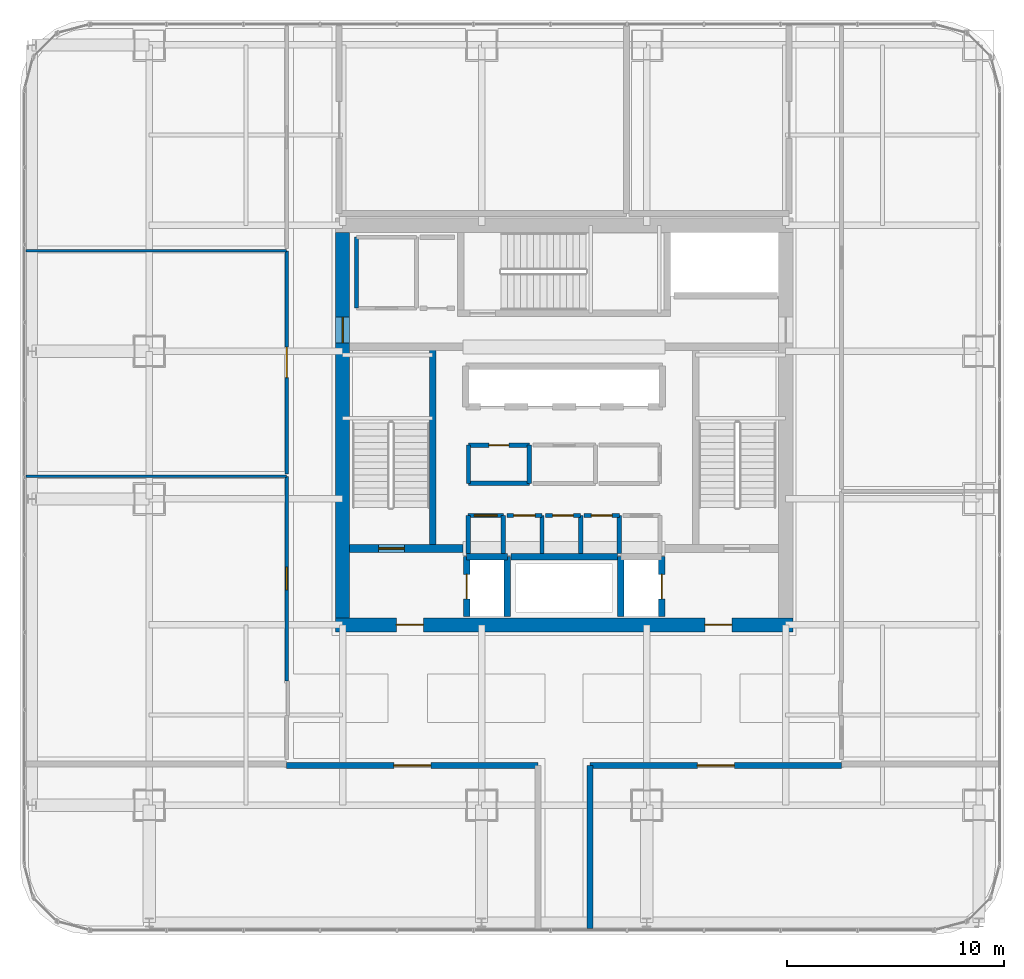
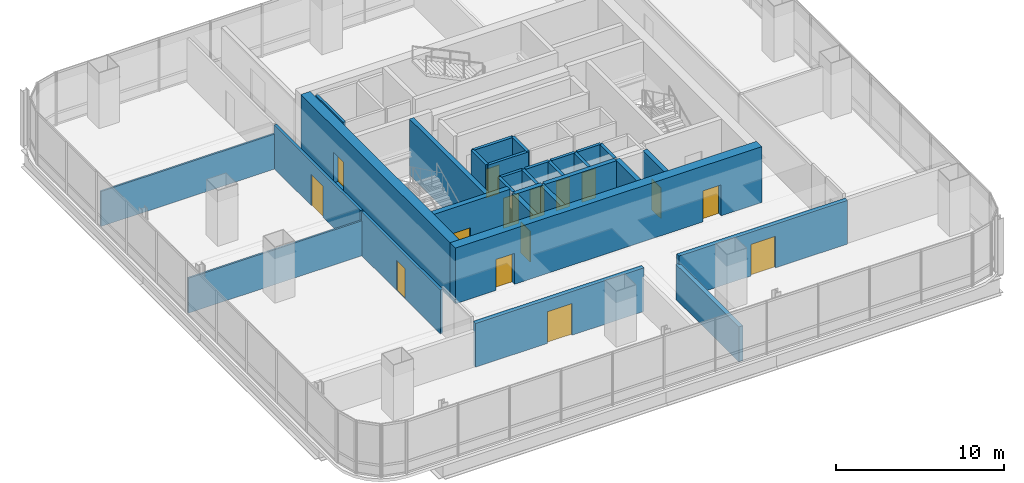
# One storey, part 29 of 36: 31 walls, 15 doors, 15 openings.
"""IFC4 building model written with IfcOpenShell, lengths in metres."""

from ifc_helpers import new_model, si_unit, direction, frame, frame_2d, origin, place, context, subcontext, project, spatial, rectangle, extrude, material, layer, layer_set, type_object, element, fill, save


model = new_model("IFC4")

# Units and contexts
model_context = context("Model", 3, precision=1e-05, world=origin(), true_north=direction((0.0, 1.0)))
body_context = subcontext(model_context, "Body", "Model", "MODEL_VIEW")
ifc_project = project(units=[si_unit("LENGTHUNIT", "METRE"), si_unit("AREAUNIT", "SQUARE_METRE"), si_unit("VOLUMEUNIT", "CUBIC_METRE"), si_unit("PLANEANGLEUNIT", "RADIAN"), si_unit("MASSUNIT", "GRAM", prefix="KILO")], contexts=[model_context])

# Site, building, storey
site_placement = place(None, origin())
site = spatial("IfcSite", under=ifc_project, at=site_placement, CompositionType="ELEMENT")
building_placement = place(site_placement, origin())
building = spatial("IfcBuilding", under=site, at=building_placement, Name="Punatoya Terracotta Tower", CompositionType="ELEMENT")
storey_placement = place(building_placement, frame((0.0, 0.0, 196.5)))
storey = spatial("IfcBuildingStorey", under=building, at=storey_placement, Name="L46", CompositionType="ELEMENT", Elevation=196.5)

# Wall, opening, door
ifc_material_1 = material(Name="Concrete C40/50", Category="concrete")
ifc_layer_1 = layer(ifc_material_1, 0.280029296875)
ifc_layer_set_1 = layer_set([ifc_layer_1], Name="Concrete C40/50")
wall_type_1 = type_object("IfcWallType", Name="WL-AUD-280", PredefinedType="SOLIDWALL", material=ifc_layer_set_1)
wall_1_placement = place(storey_placement, frame((-12.77001953125, -15.669921875, 0.0), z_axis=(0.0, 0.0, 1.0), x_axis=(1.0, 0.0, 0.0)))
wall_1 = element("IfcWall", 1, at=wall_1_placement, inside=storey, type_object=wall_type_1, Name="L46 Client Dining Salon Partition 29", PredefinedType="SOLIDWALL", context=body_context, shape_type="SweptSolid", body=[
    extrude(rectangle(XDim=11.570068359375, YDim=0.280029296875, at=frame_2d((5.78515625, 0.0))), origin(), (0.0, 0.0, 1.0), 3.174072265625),
])
opening_1_placement = place(wall_1_placement, frame((4.93505859375, 0.0, 0.0)))
opening_1 = element("IfcOpeningElement", 2, at=opening_1_placement, cuts=wall_1, Name="Opening FD-D1", PredefinedType="OPENING", context=body_context, shape_type="SweptSolid", body=[
    extrude(rectangle(XDim=1.699951171875, YDim=2.300048828125, at=frame_2d((0.85009765625, 1.14990234375))), frame((0.0, 0.14990234375, 0.0), z_axis=(0.0, -1.0, 0.0), x_axis=(1.0, 0.0, 0.0)), (0.0, 0.0, 1.0), 0.300048828125),
])
ifc_material_2 = material(Name="Timber Teak Veneer Fire Leaf", Category="wood")
door_type_1 = type_object("IfcDoorType", Name="DR-DIN-1700", OperationType="NOTDEFINED", PredefinedType="DOOR", material=ifc_material_2)
door_1_placement = place(opening_1_placement, origin())
door_1 = element("IfcDoor", 3, at=door_1_placement, inside=storey, type_object=door_type_1, Name="L46 Client Dining Salon Fire Door", OperationType="DOUBLE_DOOR_SINGLE_SWING", OverallHeight=2.300048828125, OverallWidth=1.699951171875, PredefinedType="DOOR", context=body_context, shape_type="SweptSolid", body=[
    extrude(rectangle(XDim=1.699951171875, YDim=2.300048828125, at=frame_2d((0.85009765625, 1.14990234375))), frame((0.0, 0.02490234375, 0.0), z_axis=(0.0, -1.0, 0.0), x_axis=(1.0, 0.0, 0.0)), (0.0, 0.0, 1.0), 0.050048828125),
])
fill(opening_1, door_1)

wall_2_placement = place(storey_placement, frame((1.199951171875, -15.669921875, 0.0), z_axis=(0.0, 0.0, 1.0), x_axis=(1.0, 0.0, 0.0)))
wall_2 = element("IfcWall", 4, at=wall_2_placement, inside=storey, type_object=wall_type_1, Name="L46 Open-Plan Executive Bistro Lounge Partition 31", PredefinedType="SOLIDWALL", context=body_context, shape_type="SweptSolid", body=[
    extrude(rectangle(XDim=11.570068359375, YDim=0.280029296875, at=frame_2d((5.78515625, 0.0))), origin(), (0.0, 0.0, 1.0), 3.174072265625),
])
opening_2_placement = place(wall_2_placement, frame((4.93505859375, 0.0, 0.0)))
opening_2 = element("IfcOpeningElement", 5, at=opening_2_placement, cuts=wall_2, Name="Opening FD-D1", PredefinedType="OPENING", context=body_context, shape_type="SweptSolid", body=[
    extrude(rectangle(XDim=1.699951171875, YDim=2.300048828125, at=frame_2d((0.85009765625, 1.14990234375))), frame((0.0, 0.14990234375, 0.0), z_axis=(0.0, -1.0, 0.0), x_axis=(1.0, 0.0, 0.0)), (0.0, 0.0, 1.0), 0.300048828125),
])
door_2_placement = place(opening_2_placement, origin())
door_2 = element("IfcDoor", 6, at=door_2_placement, inside=storey, type_object=door_type_1, Name="L46 Open-Plan Executive Bistro Lounge Fire Door", OperationType="DOUBLE_DOOR_SINGLE_SWING", OverallHeight=2.300048828125, OverallWidth=1.699951171875, PredefinedType="DOOR", context=body_context, shape_type="SweptSolid", body=[
    extrude(rectangle(XDim=1.699951171875, YDim=2.300048828125, at=frame_2d((0.85009765625, 1.14990234375))), frame((0.0, 0.02490234375, 0.0), z_axis=(0.0, -1.0, 0.0), x_axis=(1.0, 0.0, 0.0)), (0.0, 0.0, 1.0), 0.050048828125),
])
fill(opening_2, door_2)

# Wall
wall_3_placement = place(storey_placement, frame((1.199951171875, -23.169921875, 0.0), z_axis=(0.0, 0.0, 1.0), x_axis=(0.0, 1.0, 0.0)))
element("IfcWall", 7, at=wall_3_placement, inside=storey, type_object=wall_type_1, Name="L46 Open-Plan Executive Bistro Lounge Partition 33", PredefinedType="SOLIDWALL", context=body_context, shape_type="SweptSolid", body=[
    extrude(rectangle(XDim=7.5, YDim=0.280029296875, at=frame_2d((3.75, 0.0))), origin(), (0.0, 0.0, 1.0), 2.5439453125),
])

# Wall, openings, doors
ifc_material_3 = material(Name="Concrete C60/75", Category="concrete")
ifc_layer_2 = layer(ifc_material_3, 0.64990234375)
ifc_layer_set_2 = layer_set([ifc_layer_2], Name="Concrete C60/75")
wall_type_2 = type_object("IfcWallType", Name="WL-COR-650", PredefinedType="SHEAR", material=ifc_layer_set_2)
wall_4_placement = place(storey_placement, frame((10.52490234375, -9.199951171875, 0.0), z_axis=(0.0, 0.0, 1.0), x_axis=(-1.0, 0.0, 0.0)))
wall_4 = element("IfcWall", 8, at=wall_4_placement, inside=storey, type_object=wall_type_2, Name="L46 Core Shear Wall S", PredefinedType="SHEAR", context=body_context, shape_type="SweptSolid", body=[
    extrude(rectangle(XDim=21.0498046875, YDim=0.64990234375, at=frame_2d((10.52490234375, 0.0))), origin(), (0.0, 0.0, 1.0), 4.050048828125),
])
opening_3_placement = place(wall_4_placement, frame((2.800048828125, 0.0, 0.0)))
opening_3 = element("IfcOpeningElement", 9, at=opening_3_placement, cuts=wall_4, Name="Opening FD-L1", PredefinedType="OPENING", context=body_context, shape_type="SweptSolid", body=[
    extrude(rectangle(XDim=1.25, YDim=2.25, at=frame_2d((0.625, 1.125))), frame((0.0, 0.3349609375, 0.0), z_axis=(0.0, -1.0, 0.0), x_axis=(1.0, 0.0, 0.0)), (0.0, 0.0, 1.0), 0.669921875),
])
opening_4_placement = place(wall_4_placement, frame((17.0, 0.0, 0.0)))
opening_4 = element("IfcOpeningElement", 10, at=opening_4_placement, cuts=wall_4, Name="Opening FD-L1", PredefinedType="OPENING", context=body_context, shape_type="SweptSolid", body=[
    extrude(rectangle(XDim=1.25, YDim=2.25, at=frame_2d((0.625, 1.125))), frame((0.0, 0.3349609375, 0.0), z_axis=(0.0, -1.0, 0.0), x_axis=(1.0, 0.0, 0.0)), (0.0, 0.0, 1.0), 0.669921875),
])
ifc_material_4 = material(Name="Galvanised Steel Smokeproof Fire Door", Category="steel")
door_type_2 = type_object("IfcDoorType", Name="DR-FFL-1250", OperationType="NOTDEFINED", PredefinedType="DOOR", material=ifc_material_4)
door_3_placement = place(opening_3_placement, origin())
door_3 = element("IfcDoor", 11, at=door_3_placement, inside=storey, type_object=door_type_2, Name="L46 East Firefighting Lobby Corridor Fire Door", OperationType="SINGLE_SWING_LEFT", OverallHeight=2.25, OverallWidth=1.25, PredefinedType="DOOR", context=body_context, shape_type="SweptSolid", body=[
    extrude(rectangle(XDim=1.25, YDim=2.25, at=frame_2d((0.625, 1.125))), frame((0.0, 0.02490234375, 0.0), z_axis=(0.0, -1.0, 0.0), x_axis=(1.0, 0.0, 0.0)), (0.0, 0.0, 1.0), 0.050048828125),
])
fill(opening_3, door_3)
door_4_placement = place(opening_4_placement, origin())
door_4 = element("IfcDoor", 12, at=door_4_placement, inside=storey, type_object=door_type_2, Name="L46 West Firefighting Lobby Corridor Fire Door", OperationType="SINGLE_SWING_RIGHT", OverallHeight=2.25, OverallWidth=1.25, PredefinedType="DOOR", context=body_context, shape_type="SweptSolid", body=[
    extrude(rectangle(XDim=1.25, YDim=2.25, at=frame_2d((0.625, 1.125))), frame((0.0, 0.02490234375, 0.0), z_axis=(0.0, -1.0, 0.0), x_axis=(1.0, 0.0, 0.0)), (0.0, 0.0, 1.0), 0.050048828125),
])
fill(opening_4, door_4)

# Wall, opening, door
wall_5_placement = place(storey_placement, frame((-10.199951171875, -8.875, 0.0), z_axis=(0.0, 0.0, 1.0), x_axis=(0.0, 1.0, 0.0)))
wall_5 = element("IfcWall", 13, at=wall_5_placement, inside=storey, type_object=wall_type_2, Name="L46 Core Shear Wall W", PredefinedType="SHEAR", context=body_context, shape_type="SweptSolid", body=[
    extrude(rectangle(XDim=17.75, YDim=0.64990234375, at=frame_2d((8.875, 0.0))), origin(), (0.0, 0.0, 1.0), 4.050048828125),
])
opening_5_placement = place(wall_5_placement, frame((12.6650390625, 0.0, 0.0)))
opening_5 = element("IfcOpeningElement", 14, at=opening_5_placement, cuts=wall_5, Name="Opening SD-01", PredefinedType="OPENING", context=body_context, shape_type="SweptSolid", body=[
    extrude(rectangle(XDim=1.179931640625, YDim=2.199951171875, at=frame_2d((0.58984375, 1.10009765625))), frame((0.0, 0.3349609375, 0.0), z_axis=(0.0, -1.0, 0.0), x_axis=(1.0, 0.0, 0.0)), (0.0, 0.0, 1.0), 0.669921875),
])
ifc_material_5 = material(Name="Galvanised Steel Pressurized Stair Fire Door", Category="steel")
door_type_3 = type_object("IfcDoorType", Name="DR-STR-1180", OperationType="NOTDEFINED", PredefinedType="DOOR", material=ifc_material_5)
door_5_placement = place(opening_5_placement, origin())
door_5 = element("IfcDoor", 15, at=door_5_placement, inside=storey, type_object=door_type_3, Name="L46 Central Lift Lobby West Fire Door", OperationType="SINGLE_SWING_LEFT", OverallHeight=2.199951171875, OverallWidth=1.179931640625, PredefinedType="DOOR", context=body_context, shape_type="SweptSolid", body=[
    extrude(rectangle(XDim=1.179931640625, YDim=2.199951171875, at=frame_2d((0.58984375, 1.10009765625))), frame((0.0, 0.02490234375, 0.0), z_axis=(0.0, -1.0, 0.0), x_axis=(1.0, 0.0, 0.0)), (0.0, 0.0, 1.0), 0.050048828125),
])
fill(opening_5, door_5)

# Wall
ifc_material_6 = material(Name="Gypsum Fireboard + Steel Stud", Category="steel")
ifc_layer_3 = layer(ifc_material_6, 0.179931640625)
ifc_layer_set_3 = layer_set([ifc_layer_3], Name="Gypsum Fireboard + Steel Stud")
wall_type_3 = type_object("IfcWallType", Name="WL-CORR-180", PredefinedType="PARTITIONING", material=ifc_layer_set_3)
wall_6_placement = place(storey_placement, frame((-9.550048828125, 8.64990234375, 0.0), z_axis=(0.0, 0.0, 1.0), x_axis=(0.0, -1.0, 0.0)))
element("IfcWall", 16, at=wall_6_placement, inside=storey, type_object=wall_type_3, Name="L46 West Core Briefing Pod Partition 24", PredefinedType="PARTITIONING", context=body_context, shape_type="SweptSolid", body=[
    extrude(rectangle(XDim=3.27001953125, YDim=0.179931640625, at=frame_2d((1.635009765625, 0.0))), origin(), (0.0, 0.0, 1.0), 3.830078125),
])

# Wall, opening, door
wall_7_placement = place(storey_placement, frame((-12.77001953125, -2.362060546875, 0.0), z_axis=(0.0, 0.0, 1.0), x_axis=(0.0, -1.0, 0.0)))
wall_7 = element("IfcWall", 17, at=wall_7_placement, inside=storey, type_object=wall_type_3, Name="L46 Visitor Reception Salon Partition 39", PredefinedType="PARTITIONING", context=body_context, shape_type="SweptSolid", body=[
    extrude(rectangle(XDim=9.407958984375, YDim=0.179931640625, at=frame_2d((4.7041015625, 0.0))), origin(), (0.0, 0.0, 1.0), 3.174072265625),
])
opening_6_placement = place(wall_7_placement, frame((4.178955078125, 0.0, 0.0)))
opening_6 = element("IfcOpeningElement", 18, at=opening_6_placement, cuts=wall_7, Name="Opening OD-01", PredefinedType="OPENING", context=body_context, shape_type="SweptSolid", body=[
    extrude(rectangle(XDim=1.050048828125, YDim=2.199951171875, at=frame_2d((0.52490234375, 1.10009765625))), frame((0.0, 0.099853515625, 0.0), z_axis=(0.0, -1.0, 0.0), x_axis=(1.0, 0.0, 0.0)), (0.0, 0.0, 1.0), 0.199951171875),
])
ifc_material_7 = material(Name="Bengal Teak Solid-Core Leaf")
door_type_4 = type_object("IfcDoorType", Name="DR-OFF-1050", OperationType="NOTDEFINED", PredefinedType="DOOR", material=ifc_material_7)
door_6_placement = place(opening_6_placement, origin())
door_6 = element("IfcDoor", 19, at=door_6_placement, inside=storey, type_object=door_type_4, Name="L46 Visitor Reception Salon Door", OperationType="SINGLE_SWING_LEFT", OverallHeight=2.199951171875, OverallWidth=1.050048828125, PredefinedType="DOOR", context=body_context, shape_type="SweptSolid", body=[
    extrude(rectangle(XDim=1.050048828125, YDim=2.199951171875, at=frame_2d((0.52490234375, 1.10009765625))), frame((0.0, 0.02490234375, 0.0), z_axis=(0.0, -1.0, 0.0), x_axis=(1.0, 0.0, 0.0)), (0.0, 0.0, 1.0), 0.050048828125),
])
fill(opening_6, door_6)

wall_8_placement = place(storey_placement, frame((-12.77001953125, 8.01806640625, 0.0), z_axis=(0.0, 0.0, 1.0), x_axis=(0.0, -1.0, 0.0)))
wall_8 = element("IfcWall", 20, at=wall_8_placement, inside=storey, type_object=wall_type_3, Name="L46 Open-Plan Private Dining Boardroom Partition 43", PredefinedType="PARTITIONING", context=body_context, shape_type="SweptSolid", body=[
    extrude(rectangle(XDim=10.260009765625, YDim=0.179931640625, at=frame_2d((5.1298828125, 0.0))), origin(), (0.0, 0.0, 1.0), 3.174072265625),
])
opening_7_placement = place(wall_8_placement, frame((4.429931640625, 0.0, 0.0)))
opening_7 = element("IfcOpeningElement", 21, at=opening_7_placement, cuts=wall_8, Name="Opening BD-01", PredefinedType="OPENING", context=body_context, shape_type="SweptSolid", body=[
    extrude(rectangle(XDim=1.39990234375, YDim=2.25, at=frame_2d((0.699951171875, 1.125))), frame((0.0, 0.099853515625, 0.0), z_axis=(0.0, -1.0, 0.0), x_axis=(1.0, 0.0, 0.0)), (0.0, 0.0, 1.0), 0.199951171875),
])
ifc_material_8 = material(Name="Bengal Teak Acoustic Leaf")
door_type_5 = type_object("IfcDoorType", Name="DR-BRD-1400", OperationType="NOTDEFINED", PredefinedType="DOOR", material=ifc_material_8)
door_7_placement = place(opening_7_placement, origin())
door_7 = element("IfcDoor", 22, at=door_7_placement, inside=storey, type_object=door_type_5, Name="L46 Open-Plan Private Dining Boardroom Door", OperationType="SINGLE_SWING_RIGHT", OverallHeight=2.25, OverallWidth=1.39990234375, PredefinedType="DOOR", context=body_context, shape_type="SweptSolid", body=[
    extrude(rectangle(XDim=1.39990234375, YDim=2.25, at=frame_2d((0.699951171875, 1.125))), frame((0.0, 0.02490234375, 0.0), z_axis=(0.0, -1.0, 0.0), x_axis=(1.0, 0.0, 0.0)), (0.0, 0.0, 1.0), 0.050048828125),
])
fill(opening_7, door_7)

# Wall
ifc_layer_4 = layer(ifc_material_1, 0.199951171875)
ifc_layer_set_4 = layer_set([ifc_layer_4], Name="Concrete C40/50")
wall_type_4 = type_object("IfcWallType", Name="WL-INT-200", PredefinedType="SOLIDWALL", material=ifc_layer_set_4)
wall_9_placement = place(storey_placement, frame((-2.800048828125, -5.89990234375, 0.0), z_axis=(0.0, 0.0, 1.0), x_axis=(0.0, 1.0, 0.0)))
element("IfcWall", 23, at=wall_9_placement, inside=storey, type_object=wall_type_4, Name="L46 Core Tea Pantry Partition 01", PredefinedType="SOLIDWALL", context=body_context, shape_type="SweptSolid", body=[
    extrude(rectangle(XDim=1.739990234375, YDim=0.199951171875, at=frame_2d((0.8701171875, 0.0))), origin(), (0.0, 0.0, 1.0), 3.830078125),
])

# Wall, opening, door
wall_10_placement = place(storey_placement, frame((-2.800048828125, -4.159912109375, 0.0), z_axis=(0.0, 0.0, 1.0), x_axis=(-1.0, 0.0, 0.0)))
wall_10 = element("IfcWall", 24, at=wall_10_placement, inside=storey, type_object=wall_type_4, Name="L46 Core Tea Pantry Partition 02", PredefinedType="SOLIDWALL", context=body_context, shape_type="SweptSolid", body=[
    extrude(rectangle(XDim=1.619873046875, YDim=0.199951171875, at=frame_2d((0.81005859375, 0.0))), origin(), (0.0, 0.0, 1.0), 3.830078125),
])
opening_8_placement = place(wall_10_placement, frame((0.284912109375, 0.0, 0.0)))
opening_8 = element("IfcOpeningElement", 25, at=opening_8_placement, cuts=wall_10, Name="Opening OD-01", PredefinedType="OPENING", context=body_context, shape_type="SweptSolid", body=[
    extrude(rectangle(XDim=1.050048828125, YDim=2.199951171875, at=frame_2d((0.52490234375, 1.10009765625))), frame((0.0, 0.10986328125, 0.0), z_axis=(0.0, -1.0, 0.0), x_axis=(1.0, 0.0, 0.0)), (0.0, 0.0, 1.0), 0.219970703125),
])
door_8_placement = place(opening_8_placement, origin())
door_8 = element("IfcDoor", 26, at=door_8_placement, inside=storey, type_object=door_type_4, Name="L46 Tea Pantry Door", OperationType="SINGLE_SWING_RIGHT", OverallHeight=2.199951171875, OverallWidth=1.050048828125, PredefinedType="DOOR", context=body_context, shape_type="SweptSolid", body=[
    extrude(rectangle(XDim=1.050048828125, YDim=2.199951171875, at=frame_2d((0.52490234375, 1.10009765625))), frame((0.0, 0.02490234375, 0.0), z_axis=(0.0, -1.0, 0.0), x_axis=(1.0, 0.0, 0.0)), (0.0, 0.0, 1.0), 0.050048828125),
])
fill(opening_8, door_8)

# Walls
for number, where, z_axis, x_axis, name in (
    (27, (-4.419921875, -4.159912109375, 0.0), (0.0, 0.0, 1.0), (0.0, -1.0, 0.0), "L46 Core Tea Pantry Partition 03"),
    (28, (-1.02001953125, -5.89990234375, 0.0), (0.0, 0.0, 1.0), (0.0, 1.0, 0.0), "L46 Accessible Washroom Partition 04"),
):
    element("IfcWall", number, at=place(storey_placement, frame(where, z_axis=z_axis, x_axis=x_axis)), inside=storey, type_object=wall_type_4, Name=name, PredefinedType="SOLIDWALL", context=body_context, shape_type="SweptSolid", body=[
        extrude(rectangle(XDim=1.739990234375, YDim=0.199951171875, at=frame_2d((0.8701171875, 0.0))), origin(), (0.0, 0.0, 1.0), 3.830078125),
    ])

# Wall, opening, door
wall_11_placement = place(storey_placement, frame((-1.02001953125, -4.159912109375, 0.0), z_axis=(0.0, 0.0, 1.0), x_axis=(-1.0, 0.0, 0.0)))
wall_11 = element("IfcWall", 29, at=wall_11_placement, inside=storey, type_object=wall_type_4, Name="L46 Accessible Washroom Partition 05", PredefinedType="SOLIDWALL", context=body_context, shape_type="SweptSolid", body=[
    extrude(rectangle(XDim=1.619873046875, YDim=0.199951171875, at=frame_2d((0.81005859375, 0.0))), origin(), (0.0, 0.0, 1.0), 3.830078125),
])
opening_9_placement = place(wall_11_placement, frame((0.31005859375, 0.0, 0.0)))
opening_9 = element("IfcOpeningElement", 30, at=opening_9_placement, cuts=wall_11, Name="Opening AWD-1", PredefinedType="OPENING", context=body_context, shape_type="SweptSolid", body=[
    extrude(rectangle(XDim=1.0, YDim=2.14990234375, at=frame_2d((0.5, 1.074951171875))), frame((0.0, 0.10986328125, 0.0), z_axis=(0.0, -1.0, 0.0), x_axis=(1.0, 0.0, 0.0)), (0.0, 0.0, 1.0), 0.219970703125),
])
ifc_material_9 = material(Name="Bengal Teak Accessible WC Leaf")
door_type_6 = type_object("IfcDoorType", Name="DR-ACC-1000", OperationType="NOTDEFINED", PredefinedType="DOOR", material=ifc_material_9)
door_9_placement = place(opening_9_placement, origin())
door_9 = element("IfcDoor", 31, at=door_9_placement, inside=storey, type_object=door_type_6, Name="L46 Accessible Washroom Door", OperationType="SINGLE_SWING_LEFT", OverallHeight=2.14990234375, OverallWidth=1.0, PredefinedType="DOOR", context=body_context, shape_type="SweptSolid", body=[
    extrude(rectangle(XDim=1.0, YDim=2.14990234375, at=frame_2d((0.5, 1.074951171875))), frame((0.0, 0.02490234375, 0.0), z_axis=(0.0, -1.0, 0.0), x_axis=(1.0, 0.0, 0.0)), (0.0, 0.0, 1.0), 0.050048828125),
])
fill(opening_9, door_9)

# Wall
wall_12_placement = place(storey_placement, frame((0.760009765625, -5.89990234375, 0.0), z_axis=(0.0, 0.0, 1.0), x_axis=(0.0, 1.0, 0.0)))
element("IfcWall", 32, at=wall_12_placement, inside=storey, type_object=wall_type_4, Name="L46 Female Washroom Partition 06", PredefinedType="SOLIDWALL", context=body_context, shape_type="SweptSolid", body=[
    extrude(rectangle(XDim=1.739990234375, YDim=0.199951171875, at=frame_2d((0.8701171875, 0.0))), origin(), (0.0, 0.0, 1.0), 3.830078125),
])

# Wall, opening, door
wall_13_placement = place(storey_placement, frame((0.760009765625, -4.159912109375, 0.0), z_axis=(0.0, 0.0, 1.0), x_axis=(-1.0, 0.0, 0.0)))
wall_13 = element("IfcWall", 33, at=wall_13_placement, inside=storey, type_object=wall_type_4, Name="L46 Female Washroom Partition 07", PredefinedType="SOLIDWALL", context=body_context, shape_type="SweptSolid", body=[
    extrude(rectangle(XDim=1.6201171875, YDim=0.199951171875, at=frame_2d((0.81005859375, 0.0))), origin(), (0.0, 0.0, 1.0), 3.830078125),
])
opening_10_placement = place(wall_13_placement, frame((0.3349609375, 0.0, 0.0)))
opening_10 = element("IfcOpeningElement", 34, at=opening_10_placement, cuts=wall_13, Name="Opening WD-01", PredefinedType="OPENING", context=body_context, shape_type="SweptSolid", body=[
    extrude(rectangle(XDim=0.949951171875, YDim=2.14990234375, at=frame_2d((0.47509765625, 1.074951171875))), frame((0.0, 0.10986328125, 0.0), z_axis=(0.0, -1.0, 0.0), x_axis=(1.0, 0.0, 0.0)), (0.0, 0.0, 1.0), 0.219970703125),
])
ifc_material_10 = material(Name="Moisture-Resistant Laminate Timber Leaf", Category="wood")
door_type_7 = type_object("IfcDoorType", Name="DR-WC-950", OperationType="NOTDEFINED", PredefinedType="DOOR", material=ifc_material_10)
door_10_placement = place(opening_10_placement, origin())
door_10 = element("IfcDoor", 35, at=door_10_placement, inside=storey, type_object=door_type_7, Name="L46 Female Washroom Door", OperationType="SINGLE_SWING_RIGHT", OverallHeight=2.14990234375, OverallWidth=0.949951171875, PredefinedType="DOOR", context=body_context, shape_type="SweptSolid", body=[
    extrude(rectangle(XDim=0.949951171875, YDim=2.14990234375, at=frame_2d((0.47509765625, 1.074951171875))), frame((0.0, 0.02490234375, 0.0), z_axis=(0.0, -1.0, 0.0), x_axis=(1.0, 0.0, 0.0)), (0.0, 0.0, 1.0), 0.050048828125),
])
fill(opening_10, door_10)

# Wall
wall_14_placement = place(storey_placement, frame((2.5400390625, -5.89990234375, 0.0), z_axis=(0.0, 0.0, 1.0), x_axis=(0.0, 1.0, 0.0)))
element("IfcWall", 36, at=wall_14_placement, inside=storey, type_object=wall_type_4, Name="L46 Male Washroom Partition 08", PredefinedType="SOLIDWALL", context=body_context, shape_type="SweptSolid", body=[
    extrude(rectangle(XDim=1.739990234375, YDim=0.199951171875, at=frame_2d((0.8701171875, 0.0))), origin(), (0.0, 0.0, 1.0), 3.830078125),
])

# Wall, opening, door
wall_15_placement = place(storey_placement, frame((2.5400390625, -4.159912109375, 0.0), z_axis=(0.0, 0.0, 1.0), x_axis=(-1.0, 0.0, 0.0)))
wall_15 = element("IfcWall", 37, at=wall_15_placement, inside=storey, type_object=wall_type_4, Name="L46 Male Washroom Partition 09", PredefinedType="SOLIDWALL", context=body_context, shape_type="SweptSolid", body=[
    extrude(rectangle(XDim=1.6201171875, YDim=0.199951171875, at=frame_2d((0.81005859375, 0.0))), origin(), (0.0, 0.0, 1.0), 3.830078125),
])
opening_11_placement = place(wall_15_placement, frame((0.3349609375, 0.0, 0.0)))
opening_11 = element("IfcOpeningElement", 38, at=opening_11_placement, cuts=wall_15, Name="Opening WD-01", PredefinedType="OPENING", context=body_context, shape_type="SweptSolid", body=[
    extrude(rectangle(XDim=0.949951171875, YDim=2.14990234375, at=frame_2d((0.47509765625, 1.074951171875))), frame((0.0, 0.10986328125, 0.0), z_axis=(0.0, -1.0, 0.0), x_axis=(1.0, 0.0, 0.0)), (0.0, 0.0, 1.0), 0.219970703125),
])
door_11_placement = place(opening_11_placement, origin())
door_11 = element("IfcDoor", 39, at=door_11_placement, inside=storey, type_object=door_type_7, Name="L46 Male Washroom Door", OperationType="SINGLE_SWING_LEFT", OverallHeight=2.14990234375, OverallWidth=0.949951171875, PredefinedType="DOOR", context=body_context, shape_type="SweptSolid", body=[
    extrude(rectangle(XDim=0.949951171875, YDim=2.14990234375, at=frame_2d((0.47509765625, 1.074951171875))), frame((0.0, 0.02490234375, 0.0), z_axis=(0.0, -1.0, 0.0), x_axis=(1.0, 0.0, 0.0)), (0.0, 0.0, 1.0), 0.050048828125),
])
fill(opening_11, door_11)

# Wall
wall_16_placement = place(storey_placement, frame((-1.60009765625, -2.679931640625, 0.0), z_axis=(0.0, 0.0, 1.0), x_axis=(0.0, 1.0, 0.0)))
element("IfcWall", 40, at=wall_16_placement, inside=storey, type_object=wall_type_4, Name="L46 Left Core Store Partition 12", PredefinedType="SOLIDWALL", context=body_context, shape_type="SweptSolid", body=[
    extrude(rectangle(XDim=1.760009765625, YDim=0.199951171875, at=frame_2d((0.8798828125, 0.0))), origin(), (0.0, 0.0, 1.0), 3.830078125),
])

# Wall, opening, door
wall_17_placement = place(storey_placement, frame((-1.60009765625, -0.919921875, 0.0), z_axis=(0.0, 0.0, 1.0), x_axis=(-1.0, 0.0, 0.0)))
wall_17 = element("IfcWall", 41, at=wall_17_placement, inside=storey, type_object=wall_type_4, Name="L46 Left Core Store Partition 13", PredefinedType="SOLIDWALL", context=body_context, shape_type="SweptSolid", body=[
    extrude(rectangle(XDim=2.7998046875, YDim=0.199951171875, at=frame_2d((1.39990234375, 0.0))), origin(), (0.0, 0.0, 1.0), 3.830078125),
])
opening_12_placement = place(wall_17_placement, frame((0.93994140625, 0.0, 0.0)))
opening_12 = element("IfcOpeningElement", 42, at=opening_12_placement, cuts=wall_17, Name="Opening FD-R1", PredefinedType="OPENING", context=body_context, shape_type="SweptSolid", body=[
    extrude(rectangle(XDim=0.919921875, YDim=2.10009765625, at=frame_2d((0.4599609375, 1.050048828125))), frame((0.0, 0.10986328125, 0.0), z_axis=(0.0, -1.0, 0.0), x_axis=(1.0, 0.0, 0.0)), (0.0, 0.0, 1.0), 0.219970703125),
])
ifc_material_11 = material(Name="Galvanised Steel Riser Fire Access Door", Category="steel")
door_type_8 = type_object("IfcDoorType", Name="DR-RSR-920", OperationType="NOTDEFINED", PredefinedType="DOOR", material=ifc_material_11)
door_12_placement = place(opening_12_placement, origin())
door_12 = element("IfcDoor", 43, at=door_12_placement, inside=storey, type_object=door_type_8, Name="L46 Left Core Store Fire Door", OperationType="SINGLE_SWING_LEFT", OverallHeight=2.10009765625, OverallWidth=0.919921875, PredefinedType="DOOR", context=body_context, shape_type="SweptSolid", body=[
    extrude(rectangle(XDim=0.919921875, YDim=2.10009765625, at=frame_2d((0.4599609375, 1.050048828125))), frame((0.0, 0.02490234375, 0.0), z_axis=(0.0, -1.0, 0.0), x_axis=(1.0, 0.0, 0.0)), (0.0, 0.0, 1.0), 0.050048828125),
])
fill(opening_12, door_12)

# Walls
wall_18_placement = place(storey_placement, frame((-4.39990234375, -0.919921875, 0.0), z_axis=(0.0, 0.0, 1.0), x_axis=(0.0, -1.0, 0.0)))
element("IfcWall", 44, at=wall_18_placement, inside=storey, type_object=wall_type_4, Name="L46 Left Core Store Partition 14", PredefinedType="SOLIDWALL", context=body_context, shape_type="SweptSolid", body=[
    extrude(rectangle(XDim=1.760009765625, YDim=0.199951171875, at=frame_2d((0.8798828125, 0.0))), origin(), (0.0, 0.0, 1.0), 3.830078125),
])
wall_19_placement = place(storey_placement, frame((-4.39990234375, -2.679931640625, 0.0), z_axis=(0.0, 0.0, 1.0), x_axis=(1.0, 0.0, 0.0)))
element("IfcWall", 45, at=wall_19_placement, inside=storey, type_object=wall_type_4, Name="L46 Left Core Store Partition 15", PredefinedType="SOLIDWALL", context=body_context, shape_type="SweptSolid", body=[
    extrude(rectangle(XDim=2.7998046875, YDim=0.199951171875, at=frame_2d((1.39990234375, 0.0))), origin(), (0.0, 0.0, 1.0), 3.830078125),
])
ifc_material_12 = material(Name="Gypsum Partition + Steel Stud", Category="steel")
ifc_layer_5 = layer(ifc_material_12, 0.1201171875)
ifc_layer_set_5 = layer_set([ifc_layer_5], Name="Gypsum Partition + Steel Stud")
wall_type_5 = type_object("IfcWallType", Name="WL-OFF-120", PredefinedType="PARTITIONING", material=ifc_layer_set_5)
for number, where, z_axis, x_axis, name in (
    (46, (-24.77001953125, -2.362060546875, 0.0), (0.0, 0.0, 1.0), (1.0, 0.0, 0.0), "L46 Visitor Reception Salon Partition 38"),
    (47, (-24.77001953125, 8.01806640625, 0.0), (0.0, 0.0, 1.0), (1.0, 0.0, 0.0), "L46 Open-Plan Private Dining Boardroom Partition 42"),
):
    element("IfcWall", number, at=place(storey_placement, frame(where, z_axis=z_axis, x_axis=x_axis)), inside=storey, type_object=wall_type_5, Name=name, PredefinedType="PARTITIONING", context=body_context, shape_type="SweptSolid", body=[
        extrude(rectangle(XDim=12.0, YDim=0.1201171875, at=frame_2d((6.0, 0.0))), origin(), (0.0, 0.0, 1.0), 2.5439453125),
    ])
ifc_layer_6 = layer(ifc_material_1, 0.300048828125)
ifc_layer_set_6 = layer_set([ifc_layer_6], Name="Concrete C40/50")
wall_type_6 = type_object("IfcWallType", Name="WL-SHF-300", PredefinedType="SOLIDWALL", material=ifc_layer_set_6)
wall_20_placement = place(storey_placement, frame((-6.050048828125, -5.5, 0.0), z_axis=(0.0, 0.0, 1.0), x_axis=(0.0, 1.0, 0.0)))
element("IfcWall", 48, at=wall_20_placement, inside=storey, type_object=wall_type_6, Name="L46 Structural Stair Shaft Wall SW-ST1-E", PredefinedType="SOLIDWALL", context=body_context, shape_type="SweptSolid", body=[
    extrude(rectangle(XDim=8.949951171875, YDim=0.300048828125, at=frame_2d((4.47509765625, 0.0))), origin(), (0.0, 0.0, 1.0), 4.050048828125),
])

# Wall, opening, door
wall_21_placement = place(storey_placement, frame((-4.489990234375, -8.820068359375, 0.0), z_axis=(0.0, 0.0, 1.0), x_axis=(0.0, 1.0, 0.0)))
wall_21 = element("IfcWall", 49, at=wall_21_placement, inside=storey, type_object=wall_type_6, Name="L46 FFL-1 Front Hoistway Wall", PredefinedType="SOLIDWALL", context=body_context, shape_type="SweptSolid", body=[
    extrude(rectangle(XDim=2.77001953125, YDim=0.300048828125, at=frame_2d((1.385009765625, 0.0))), origin(), (0.0, 0.0, 1.0), 3.830078125),
])
opening_13_placement = place(wall_21_placement, frame((0.824951171875, 0.0, 0.0)))
opening_13 = element("IfcOpeningElement", 50, at=opening_13_placement, cuts=wall_21, Name="Opening LD-02", PredefinedType="OPENING", context=body_context, shape_type="SweptSolid", body=[
    extrude(rectangle(XDim=1.1201171875, YDim=2.25, at=frame_2d((0.56005859375, 1.125))), frame((0.0, 0.159912109375, 0.0), z_axis=(0.0, -1.0, 0.0), x_axis=(1.0, 0.0, 0.0)), (0.0, 0.0, 1.0), 0.320068359375),
])
ifc_material_13 = material(Name="Stainless Steel Lift Landing Door", Category="steel")
door_type_9 = type_object("IfcDoorType", Name="DR-LND-1120", OperationType="NOTDEFINED", PredefinedType="DOOR", material=ifc_material_13)
door_13_placement = place(opening_13_placement, origin())
door_13 = element("IfcDoor", 51, at=door_13_placement, inside=storey, type_object=door_type_9, Name="L46 Firefighting Lift FFL-1 Sliding Landing Door", OperationType="SLIDING_TO_LEFT", OverallHeight=2.25, OverallWidth=1.1201171875, PredefinedType="DOOR", context=body_context, shape_type="SweptSolid", body=[
    extrude(rectangle(XDim=1.1201171875, YDim=2.25, at=frame_2d((0.56005859375, 1.125))), frame((0.0, 0.02490234375, 0.0), z_axis=(0.0, -1.0, 0.0), x_axis=(1.0, 0.0, 0.0)), (0.0, 0.0, 1.0), 0.050048828125),
])
fill(opening_13, door_13)

# Walls
wall_22_placement = place(storey_placement, frame((-2.610107421875, -8.820068359375, 0.0), z_axis=(0.0, 0.0, 1.0), x_axis=(0.0, 1.0, 0.0)))
element("IfcWall", 52, at=wall_22_placement, inside=storey, type_object=wall_type_6, Name="L46 FFL-1 Rear Hoistway Wall", PredefinedType="SOLIDWALL", context=body_context, shape_type="SweptSolid", body=[
    extrude(rectangle(XDim=2.77001953125, YDim=0.300048828125, at=frame_2d((1.385009765625, 0.0))), origin(), (0.0, 0.0, 1.0), 3.830078125),
])
wall_23_placement = place(storey_placement, frame((-4.489990234375, -6.050048828125, 0.0), z_axis=(0.0, 0.0, 1.0), x_axis=(1.0, 0.0, 0.0)))
element("IfcWall", 53, at=wall_23_placement, inside=storey, type_object=wall_type_6, Name="L46 FFL-1 North Hoistway Wall", PredefinedType="SOLIDWALL", context=body_context, shape_type="SweptSolid", body=[
    extrude(rectangle(XDim=1.8798828125, YDim=0.300048828125, at=frame_2d((0.93994140625, 0.0))), origin(), (0.0, 0.0, 1.0), 3.830078125),
])

# Wall, opening, door
wall_24_placement = place(storey_placement, frame((4.489990234375, -8.820068359375, 0.0), z_axis=(0.0, 0.0, 1.0), x_axis=(0.0, 1.0, 0.0)))
wall_24 = element("IfcWall", 54, at=wall_24_placement, inside=storey, type_object=wall_type_6, Name="L46 FFL-2 Front Hoistway Wall", PredefinedType="SOLIDWALL", context=body_context, shape_type="SweptSolid", body=[
    extrude(rectangle(XDim=2.77001953125, YDim=0.300048828125, at=frame_2d((1.385009765625, 0.0))), origin(), (0.0, 0.0, 1.0), 3.830078125),
])
opening_14_placement = place(wall_24_placement, frame((0.824951171875, 0.0, 0.0)))
opening_14 = element("IfcOpeningElement", 55, at=opening_14_placement, cuts=wall_24, Name="Opening LD-02", PredefinedType="OPENING", context=body_context, shape_type="SweptSolid", body=[
    extrude(rectangle(XDim=1.1201171875, YDim=2.25, at=frame_2d((0.56005859375, 1.125))), frame((0.0, 0.159912109375, 0.0), z_axis=(0.0, -1.0, 0.0), x_axis=(1.0, 0.0, 0.0)), (0.0, 0.0, 1.0), 0.320068359375),
])
door_14_placement = place(opening_14_placement, origin())
door_14 = element("IfcDoor", 56, at=door_14_placement, inside=storey, type_object=door_type_9, Name="L46 Firefighting Lift FFL-2 Sliding Landing Door", OperationType="SLIDING_TO_RIGHT", OverallHeight=2.25, OverallWidth=1.1201171875, PredefinedType="DOOR", context=body_context, shape_type="SweptSolid", body=[
    extrude(rectangle(XDim=1.1201171875, YDim=2.25, at=frame_2d((0.56005859375, 1.125))), frame((0.0, 0.02490234375, 0.0), z_axis=(0.0, -1.0, 0.0), x_axis=(1.0, 0.0, 0.0)), (0.0, 0.0, 1.0), 0.050048828125),
])
fill(opening_14, door_14)

# Walls
wall_25_placement = place(storey_placement, frame((2.610107421875, -8.820068359375, 0.0), z_axis=(0.0, 0.0, 1.0), x_axis=(0.0, 1.0, 0.0)))
element("IfcWall", 57, at=wall_25_placement, inside=storey, type_object=wall_type_6, Name="L46 FFL-2 Rear Hoistway Wall", PredefinedType="SOLIDWALL", context=body_context, shape_type="SweptSolid", body=[
    extrude(rectangle(XDim=2.77001953125, YDim=0.300048828125, at=frame_2d((1.385009765625, 0.0))), origin(), (0.0, 0.0, 1.0), 3.830078125),
])
wall_26_placement = place(storey_placement, frame((-2.449951171875, -6.050048828125, 0.0), z_axis=(0.0, 0.0, 1.0), x_axis=(1.0, 0.0, 0.0)))
element("IfcWall", 58, at=wall_26_placement, inside=storey, type_object=wall_type_6, Name="L46 Observation Shuttle Rear Hoistway Wall", PredefinedType="SOLIDWALL", context=body_context, shape_type="SweptSolid", body=[
    extrude(rectangle(XDim=4.89990234375, YDim=0.300048828125, at=frame_2d((2.449951171875, 0.0))), origin(), (0.0, 0.0, 1.0), 3.830078125),
])

# Wall, opening, door
ifc_material_14 = material(Name="Concrete C50/60", Category="concrete")
ifc_layer_7 = layer(ifc_material_14, 0.35009765625)
ifc_layer_set_7 = layer_set([ifc_layer_7], Name="Concrete C50/60")
wall_type_7 = type_object("IfcWallType", Name="WL-SHF-350", PredefinedType="SOLIDWALL", material=ifc_layer_set_7)
wall_27_placement = place(storey_placement, frame((-9.875, -5.679931640625, 0.0), z_axis=(0.0, 0.0, 1.0), x_axis=(1.0, 0.0, 0.0)))
wall_27 = element("IfcWall", 59, at=wall_27_placement, inside=storey, type_object=wall_type_7, Name="L46 Core Web Wall CSW-L", PredefinedType="SOLIDWALL", context=body_context, shape_type="SweptSolid", body=[
    extrude(rectangle(XDim=5.22509765625, YDim=0.35009765625, at=frame_2d((2.612548828125, 0.0))), origin(), (0.0, 0.0, 1.0), 4.050048828125),
])
opening_15_placement = place(wall_27_placement, frame((1.3349609375, 0.0, 0.0)))
opening_15 = element("IfcOpeningElement", 60, at=opening_15_placement, cuts=wall_27, Name="Opening SD-01", PredefinedType="OPENING", context=body_context, shape_type="SweptSolid", body=[
    extrude(rectangle(XDim=1.179931640625, YDim=2.199951171875, at=frame_2d((0.58984375, 1.10009765625))), frame((0.0, 0.18505859375, 0.0), z_axis=(0.0, -1.0, 0.0), x_axis=(1.0, 0.0, 0.0)), (0.0, 0.0, 1.0), 0.3701171875),
])
door_15_placement = place(opening_15_placement, origin())
door_15 = element("IfcDoor", 61, at=door_15_placement, inside=storey, type_object=door_type_3, Name="L46 Stair ST-1 Smokeproof Lobby Fire Door", OperationType="SINGLE_SWING_LEFT", OverallHeight=2.199951171875, OverallWidth=1.179931640625, PredefinedType="DOOR", context=body_context, shape_type="SweptSolid", body=[
    extrude(rectangle(XDim=1.179931640625, YDim=2.199951171875, at=frame_2d((0.58984375, 1.10009765625))), frame((0.0, 0.02490234375, 0.0), z_axis=(0.0, -1.0, 0.0), x_axis=(1.0, 0.0, 0.0)), (0.0, 0.0, 1.0), 0.050048828125),
])
fill(opening_15, door_15)

save(model, "model.ifc")
